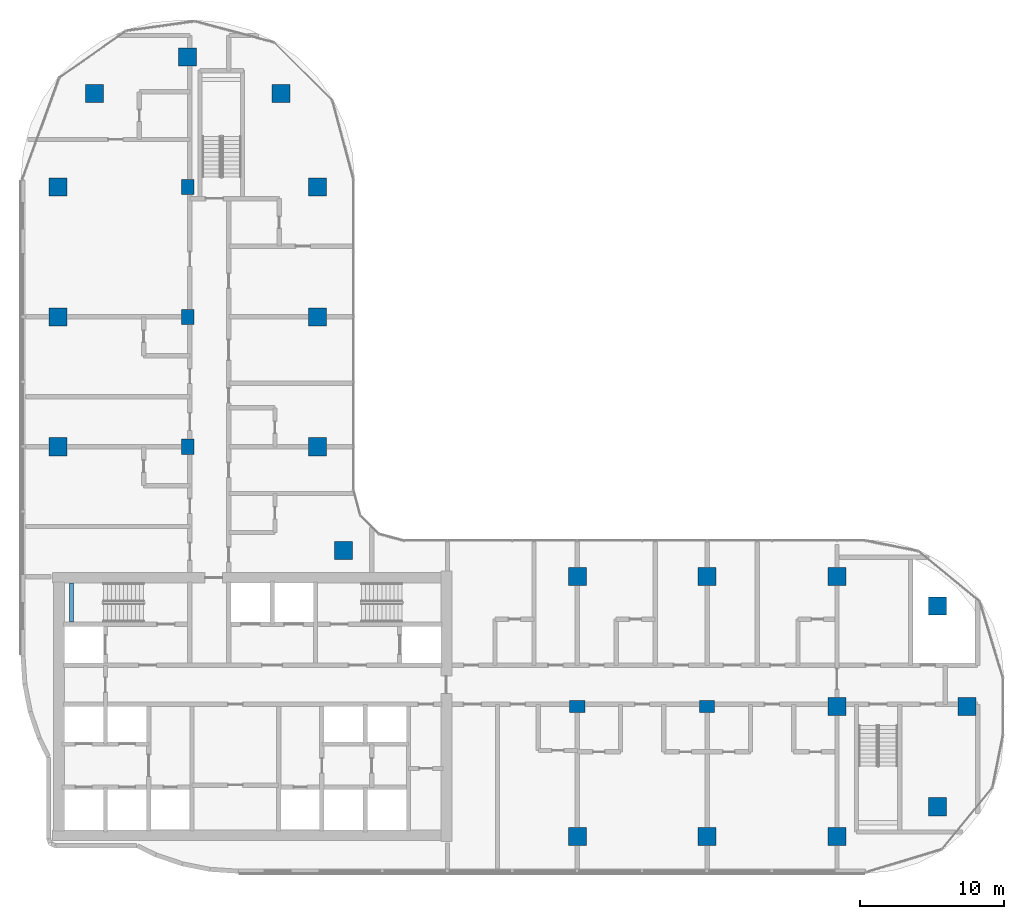
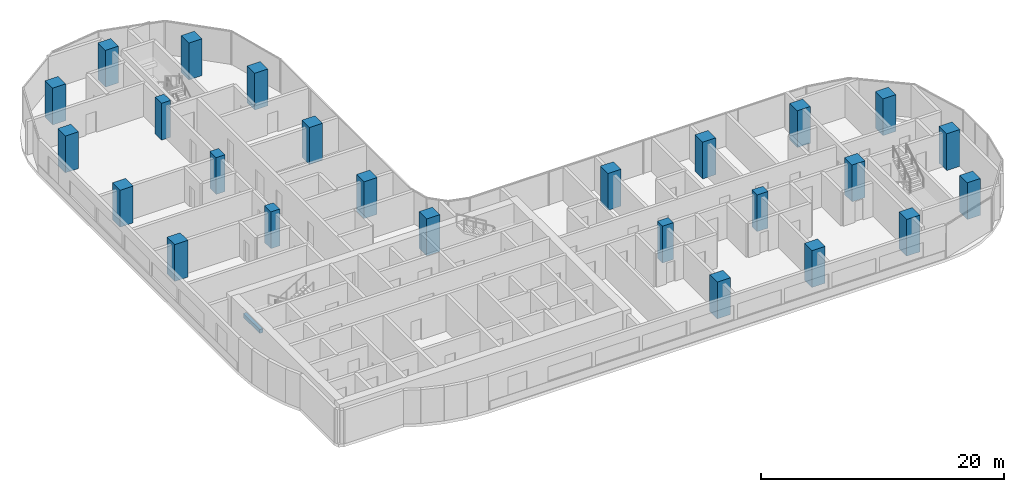
# One storey, part 1 of 23: 25 columns, 1 beam.
"""IFC4 building model written with IfcOpenShell, lengths in metres."""

from ifc_helpers import new_model, si_unit, direction, frame, origin, origin_2d, place, context, subcontext, project, spatial, rectangle, extrude, material, material_profile, profile_set, type_object, element, save


model = new_model("IFC4")

# Units and contexts
model_context = context("Model", 3, precision=1e-05, world=origin(), true_north=direction((0.0, 1.0)))
body_context = subcontext(model_context, "Body", "Model", "MODEL_VIEW")
ifc_project = project(units=[si_unit("LENGTHUNIT", "METRE"), si_unit("AREAUNIT", "SQUARE_METRE"), si_unit("VOLUMEUNIT", "CUBIC_METRE"), si_unit("PLANEANGLEUNIT", "RADIAN"), si_unit("MASSUNIT", "GRAM", prefix="KILO")], contexts=[model_context])

# Site, building, storey
site_placement = place(None, origin())
site = spatial("IfcSite", under=ifc_project, at=site_placement, CompositionType="ELEMENT")
building_placement = place(site_placement, origin())
building = spatial("IfcBuilding", under=site, at=building_placement, Name="Ogive Portal Towers", CompositionType="ELEMENT")
storey_placement = place(building_placement, frame((0.0, 0.0, 120.39990234375)))
storey = spatial("IfcBuildingStorey", under=building, at=storey_placement, Name="L29", CompositionType="ELEMENT", Elevation=120.39990234375)

# Columns
ifc_material_1 = material(Name="Concrete C60/75", Category="concrete")
ifc_material_profile_1 = material_profile(ifc_material_1, rectangle(XDim=1.050048828125, YDim=0.85009765625, at=origin_2d()), Name="RC 1050x850")
ifc_profile_set_1 = profile_set([ifc_material_profile_1], Name="Concrete C60/75")
column_type_1 = type_object("IfcColumnType", Name="COLUMN RC 1050x850", PredefinedType="COLUMN", material=ifc_profile_set_1)
for number, where, z_axis, x_axis, name in (
    (1, (67.5, 30.5, 0.0), (0.0, 0.0, 1.0), (1.0, 0.0, 0.0), "Column 5/B L29"),
    (2, (76.5, 30.5, 0.0), (0.0, 0.0, 1.0), (1.0, 0.0, 0.0), "Column 6/B L29"),
    (3, (40.5, 48.5, 0.0), (0.0, 0.0, 1.0), (0.0, 1.0, 0.0), "Column 2/D L29"),
    (4, (40.5, 57.5, 0.0), (0.0, 0.0, 1.0), (0.0, 1.0, 0.0), "Column 2/E L29"),
    (5, (40.5, 66.5, 0.0), (0.0, 0.0, 1.0), (0.0, 1.0, 0.0), "Column 2/F L29"),
):
    element("IfcColumn", number, at=place(storey_placement, frame(where, z_axis=z_axis, x_axis=x_axis)), inside=storey, type_object=column_type_1, Name=name, PredefinedType="COLUMN", context=body_context, shape_type="SweptSolid", body=[
        extrude(rectangle(XDim=1.050048828125, YDim=0.85009765625, at=origin_2d()), origin(), (0.0, 0.0, 1.0), 3.7001953125),
    ])
ifc_material_profile_2 = material_profile(ifc_material_1, rectangle(XDim=1.25, YDim=1.25, at=origin_2d()), Name="RC 1250x1250")
ifc_profile_set_2 = profile_set([ifc_material_profile_2], Name="Concrete C60/75")
column_type_2 = type_object("IfcColumnType", Name="COLUMN RC 1250x1250", PredefinedType="COLUMN", material=ifc_profile_set_2)
for number, where, z_axis, x_axis, name in (
    (6, (67.5, 21.5, 0.0), (0.0, 0.0, 1.0), (1.0, 0.0, 0.0), "Column 5/A L29"),
    (7, (76.5, 21.5, 0.0), (0.0, 0.0, 1.0), (1.0, 0.0, 0.0), "Column 6/A L29"),
    (8, (85.5, 21.5, 0.0), (0.0, 0.0, 1.0), (1.0, 0.0, 0.0), "Column 7/A L29"),
    (9, (92.449951171875, 23.550048828125, 0.0), (0.0, 0.0, 1.0), (1.0, 0.0, 0.0), "Column L29"),
    (10, (85.5, 30.5, 0.0), (0.0, 0.0, 1.0), (1.0, 0.0, 0.0), "Column 7/B L29"),
    (11, (94.5, 30.5, 0.0), (0.0, 0.0, 1.0), (1.0, 0.0, 0.0), "Column 8/B L29"),
    (12, (92.449951171875, 37.449951171875, 0.0), (0.0, 0.0, 1.0), (1.0, 0.0, 0.0), "Column L29"),
    (13, (67.5, 39.5, 0.0), (0.0, 0.0, 1.0), (1.0, 0.0, 0.0), "Column 5/C L29"),
    (14, (76.5, 39.5, 0.0), (0.0, 0.0, 1.0), (1.0, 0.0, 0.0), "Column 6/C L29"),
    (15, (85.5, 39.5, 0.0), (0.0, 0.0, 1.0), (1.0, 0.0, 0.0), "Column 7/C L29"),
    (16, (51.31005859375, 41.31005859375, 0.0), (0.0, 0.0, 1.0), (1.0, 0.0, 0.0), "Column L29"),
    (17, (31.5, 48.5, 0.0), (0.0, 0.0, 1.0), (1.0, 0.0, 0.0), "Column 1/D L29"),
    (18, (49.5, 48.5, 0.0), (0.0, 0.0, 1.0), (1.0, 0.0, 0.0), "Column 3/D L29"),
    (19, (31.5, 57.5, 0.0), (0.0, 0.0, 1.0), (1.0, 0.0, 0.0), "Column 1/E L29"),
    (20, (49.5, 57.5, 0.0), (0.0, 0.0, 1.0), (1.0, 0.0, 0.0), "Column 3/E L29"),
    (21, (31.5, 66.5, 0.0), (0.0, 0.0, 1.0), (1.0, 0.0, 0.0), "Column 1/F L29"),
    (22, (49.5, 66.5, 0.0), (0.0, 0.0, 1.0), (1.0, 0.0, 0.0), "Column 3/F L29"),
    (23, (34.027099609375, 72.972900390625, 0.0), (0.0, 0.0, 1.0), (1.0, 0.0, 0.0), "Column L29"),
    (24, (46.972900390625, 72.972900390625, 0.0), (0.0, 0.0, 1.0), (1.0, 0.0, 0.0), "Column L29"),
    (25, (40.5, 75.5, 0.0), (0.0, 0.0, 1.0), (1.0, 0.0, 0.0), "Column 2/G L29"),
):
    element("IfcColumn", number, at=place(storey_placement, frame(where, z_axis=z_axis, x_axis=x_axis)), inside=storey, type_object=column_type_2, Name=name, PredefinedType="COLUMN", context=body_context, shape_type="SweptSolid", body=[
        extrude(rectangle(XDim=1.25, YDim=1.25, at=origin_2d()), origin(), (0.0, 0.0, 1.0), 3.7001953125),
    ])

# Beam
ifc_material_2 = material(Name="Concrete C40/50", Category="concrete")
ifc_material_profile_3 = material_profile(ifc_material_2, rectangle(XDim=0.300048828125, YDim=0.39990234375, at=origin_2d()), Name="RC 300x400")
ifc_profile_set_3 = profile_set([ifc_material_profile_3], Name="Concrete C40/50")
beam_type = type_object("IfcBeamType", Name="BEAM RC 300x400", PredefinedType="BEAM", material=ifc_profile_set_3)
beam_placement = place(storey_placement, frame((32.449951171875, 36.35009765625, 1.4501953125), z_axis=(0.0, 1.0, 0.0), x_axis=(-1.0, 0.0, 0.0)))
element("IfcBeam", 26, at=beam_placement, inside=storey, type_object=beam_type, Name="Landing beam L29", PredefinedType="BEAM", context=body_context, shape_type="SweptSolid", body=[
    extrude(rectangle(XDim=0.300048828125, YDim=0.39990234375, at=origin_2d()), origin(), (0.0, 0.0, 1.0), 2.699951171875),
])

save(model, "model.ifc")
